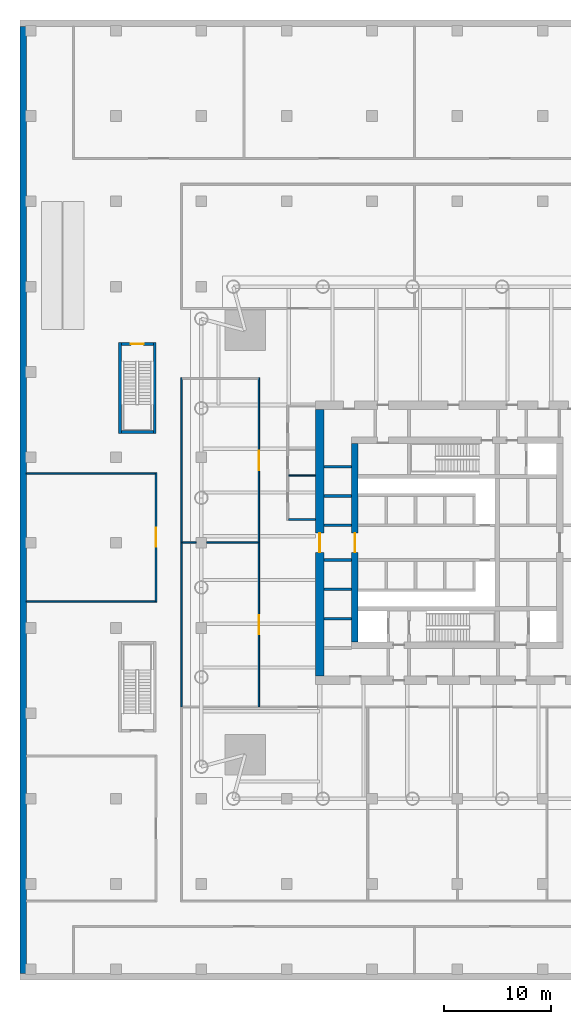
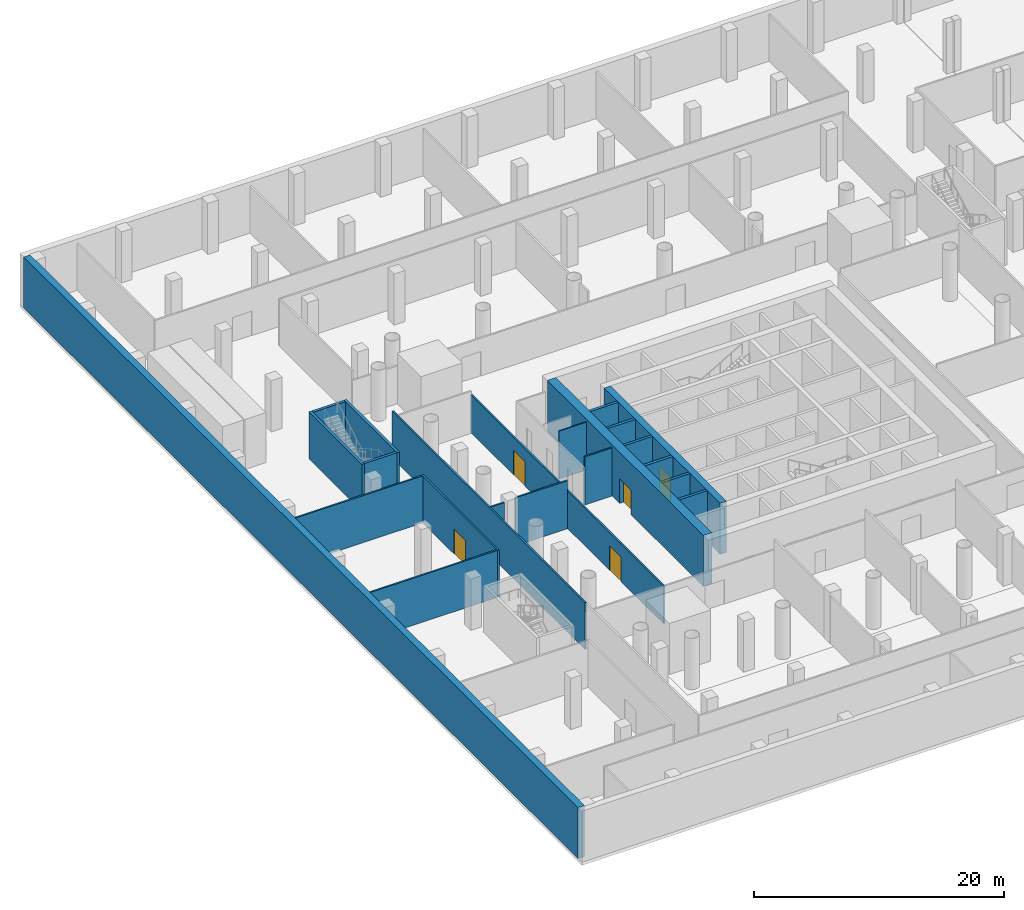
# One storey, part 8 of 22: 22 walls, 6 doors, 6 openings.
"""IFC4 building model written with IfcOpenShell, lengths in metres."""

from ifc_helpers import new_model, si_unit, direction, frame, frame_2d, origin, place, context, subcontext, project, spatial, rectangle, extrude, material, layer, layer_set, type_object, element, fill, save


model = new_model("IFC4")

# Units and contexts
model_context = context("Model", 3, precision=1e-05, world=origin(), true_north=direction((0.0, 1.0)))
body_context = subcontext(model_context, "Body", "Model", "MODEL_VIEW")
ifc_project = project(units=[si_unit("LENGTHUNIT", "METRE"), si_unit("AREAUNIT", "SQUARE_METRE"), si_unit("VOLUMEUNIT", "CUBIC_METRE"), si_unit("PLANEANGLEUNIT", "RADIAN"), si_unit("MASSUNIT", "GRAM", prefix="KILO")], contexts=[model_context])

# Site, building, storey
site_placement = place(None, origin())
site = spatial("IfcSite", under=ifc_project, at=site_placement, CompositionType="ELEMENT")
building_placement = place(site_placement, origin())
building = spatial("IfcBuilding", under=site, at=building_placement, Name="Ostroluk Exchange", CompositionType="ELEMENT")
storey_placement = place(building_placement, frame((0.0, 0.0, -5.0)))
storey = spatial("IfcBuildingStorey", under=building, at=storey_placement, Name="B1", CompositionType="ELEMENT", Elevation=-5.0)

# Walls
ifc_material_1 = material(Name="Concrete C35/45", Category="concrete")
ifc_layer_1 = layer(ifc_material_1, 0.60009765625)
ifc_layer_set_1 = layer_set([ifc_layer_1], Name="Basement retaining wall 600")
wall_type_1 = type_object("IfcWallType", Name="Basement retaining wall 600", PredefinedType="USERDEFINED", material=ifc_layer_set_1)
wall_1_placement = place(storey_placement, frame((4.300048828125, 5.60009765625, 0.0), z_axis=(0.0, 0.0, 1.0), x_axis=(0.0, 1.0, 0.0)))
element("IfcWall", 1, at=wall_1_placement, inside=storey, type_object=wall_type_1, Name="Retaining wall B1 W", ObjectType="RETAINING WALL", PredefinedType="USERDEFINED", context=body_context, shape_type="SweptSolid", body=[
    extrude(rectangle(XDim=88.7998046875, YDim=0.60009765625, at=frame_2d((44.39990234375, 0.0))), origin(), (0.0, 0.0, 1.0), 5.0),
])
ifc_material_2 = material(Name="Concrete blockwork", Category="masonry")
ifc_layer_2 = layer(ifc_material_2, 0.10009765625)
ifc_layer_set_2 = layer_set([ifc_layer_2], Name="Blockwork WC wall 100")
wall_type_2 = type_object("IfcWallType", Name="Blockwork WC wall 100", PredefinedType="SOLIDWALL", material=ifc_layer_set_2)
wall_2_placement = place(storey_placement, frame((29.175048828125, 52.300048828125, 0.0), z_axis=(0.0, 0.0, 1.0), x_axis=(1.0, 0.0, 0.0)))
element("IfcWall", 2, at=wall_2_placement, inside=storey, type_object=wall_type_2, Name="Blockwork WC wall", PredefinedType="SOLIDWALL", context=body_context, shape_type="SweptSolid", body=[
    extrude(rectangle(XDim=2.52490234375, YDim=0.10009765625, at=frame_2d((1.262451171875, 0.0))), origin(), (0.0, 0.0, 1.0), 4.699951171875),
])
ifc_material_3 = material(Name="Concrete blockwork", Category="masonry")
ifc_layer_3 = layer(ifc_material_3, 0.25)
ifc_layer_set_3 = layer_set([ifc_layer_3], Name="Blockwork stair enclosure wall 250")
wall_type_3 = type_object("IfcWallType", Name="Blockwork stair enclosure wall 250", PredefinedType="SOLIDWALL", material=ifc_layer_set_3)
for number, where, z_axis, x_axis, name in (
    (3, (13.375, 56.25, 0.0), (0.0, 0.0, 1.0), (0.0, 1.0, 0.0), "Stair PS2 enclosure wall"),
    (4, (16.625, 56.25, 0.0), (0.0, 0.0, 1.0), (0.0, 1.0, 0.0), "Stair PS2 enclosure wall"),
):
    element("IfcWall", number, at=place(storey_placement, frame(where, z_axis=z_axis, x_axis=x_axis)), inside=storey, type_object=wall_type_3, Name=name, PredefinedType="SOLIDWALL", context=body_context, shape_type="SweptSolid", body=[
        extrude(rectangle(XDim=8.5, YDim=0.25, at=frame_2d((4.25, 0.0))), origin(), (0.0, 0.0, 1.0), 4.60009765625),
    ])
wall_3_placement = place(storey_placement, frame((13.5, 56.375, 0.0), z_axis=(0.0, 0.0, 1.0), x_axis=(1.0, 0.0, 0.0)))
element("IfcWall", 5, at=wall_3_placement, inside=storey, type_object=wall_type_3, Name="Stair PS2 enclosure wall", PredefinedType="SOLIDWALL", context=body_context, shape_type="SweptSolid", body=[
    extrude(rectangle(XDim=3.0, YDim=0.25, at=frame_2d((1.5, 0.0))), origin(), (0.0, 0.0, 1.0), 4.60009765625),
])

# Wall, opening, door
wall_4_placement = place(storey_placement, frame((13.5, 64.625, 0.0), z_axis=(0.0, 0.0, 1.0), x_axis=(1.0, 0.0, 0.0)))
wall_4 = element("IfcWall", 6, at=wall_4_placement, inside=storey, type_object=wall_type_3, Name="Stair PS2 enclosure wall", PredefinedType="SOLIDWALL", context=body_context, shape_type="SweptSolid", body=[
    extrude(rectangle(XDim=3.0, YDim=0.25, at=frame_2d((1.5, 0.0))), origin(), (0.0, 0.0, 1.0), 4.60009765625),
])
opening_1_placement = place(wall_4_placement, frame((0.89990234375, 0.0, 0.0)))
opening_1 = element("IfcOpeningElement", 7, at=opening_1_placement, cuts=wall_4, Name="Opening FD60S", PredefinedType="OPENING", context=body_context, shape_type="SweptSolid", body=[
    extrude(rectangle(XDim=1.199951171875, YDim=2.10009765625, at=frame_2d((0.60009765625, 1.050048828125))), frame((0.0, 0.135009765625, 0.0), z_axis=(0.0, -1.0, 0.0), x_axis=(1.0, 0.0, 0.0)), (0.0, 0.0, 1.0), 0.27001953125),
])
ifc_material_4 = material(Name="Steel", Category="steel")
door_type_1 = type_object("IfcDoorType", Name="Stair door EI 60 1200 x 2100", OperationType="SINGLE_SWING_LEFT", PredefinedType="DOOR", material=ifc_material_4)
door_1_placement = place(opening_1_placement, origin())
door_1 = element("IfcDoor", 8, at=door_1_placement, inside=storey, type_object=door_type_1, Name="Stair PS2 door", OperationType="SINGLE_SWING_LEFT", OverallHeight=2.10009765625, OverallWidth=1.199951171875, PredefinedType="DOOR", context=body_context, shape_type="SweptSolid", body=[
    extrude(rectangle(XDim=1.199951171875, YDim=2.10009765625, at=frame_2d((0.60009765625, 1.050048828125))), frame((0.0, 0.02490234375, 0.0), z_axis=(0.0, -1.0, 0.0), x_axis=(1.0, 0.0, 0.0)), (0.0, 0.0, 1.0), 0.050048828125),
])
fill(opening_1, door_1)

# Walls
ifc_material_5 = material(Name="Concrete C40/50", Category="concrete")
ifc_layer_4 = layer(ifc_material_5, 0.25)
ifc_layer_set_4 = layer_set([ifc_layer_4], Name="Core shaft wall 250")
wall_type_4 = type_object("IfcWallType", Name="Core shaft wall 250", PredefinedType="SHEAR", material=ifc_layer_set_4)
for number, where, z_axis, x_axis, name in (
    (9, (32.5, 38.875, 0.0), (0.0, 0.0, 1.0), (1.0, 0.0, 0.0), "Lift shaft wall"),
    (10, (32.5, 41.625, 0.0), (0.0, 0.0, 1.0), (1.0, 0.0, 0.0), "Lift shaft wall"),
    (11, (32.5, 44.375, 0.0), (0.0, 0.0, 1.0), (1.0, 0.0, 0.0), "Lift shaft wall"),
    (12, (32.5, 47.625, 0.0), (0.0, 0.0, 1.0), (1.0, 0.0, 0.0), "Lift shaft wall"),
    (13, (32.5, 50.375, 0.0), (0.0, 0.0, 1.0), (1.0, 0.0, 0.0), "Lift shaft wall"),
    (14, (32.5, 53.125, 0.0), (0.0, 0.0, 1.0), (1.0, 0.0, 0.0), "Lift shaft wall"),
):
    element("IfcWall", number, at=place(storey_placement, frame(where, z_axis=z_axis, x_axis=x_axis)), inside=storey, type_object=wall_type_4, Name=name, PredefinedType="SHEAR", context=body_context, shape_type="SweptSolid", body=[
        extrude(rectangle(XDim=2.60009765625, YDim=0.25, at=frame_2d((1.300048828125, 0.0))), origin(), (0.0, 0.0, 1.0), 5.0),
    ])

# Wall, opening, door
ifc_material_6 = material(Name="Concrete C50/60", Category="concrete")
ifc_layer_5 = layer(ifc_material_6, 0.60009765625)
ifc_layer_set_5 = layer_set([ifc_layer_5], Name="Core wall 600 C50/60")
wall_type_5 = type_object("IfcWallType", Name="Core wall 600 C50/60", PredefinedType="SHEAR", material=ifc_layer_set_5)
wall_5_placement = place(storey_placement, frame((35.39990234375, 36.699951171875, 0.0), z_axis=(0.0, 0.0, 1.0), x_axis=(0.0, 1.0, 0.0)))
wall_5 = element("IfcWall", 15, at=wall_5_placement, inside=storey, type_object=wall_type_5, Name="T1 core wall W", PredefinedType="SHEAR", context=body_context, shape_type="SweptSolid", body=[
    extrude(rectangle(XDim=18.60009765625, YDim=0.60009765625, at=frame_2d((9.300048828125, 0.0))), origin(), (0.0, 0.0, 1.0), 5.0),
])
opening_2_placement = place(wall_5_placement, frame((8.39990234375, 0.0, 0.0)))
opening_2 = element("IfcOpeningElement", 16, at=opening_2_placement, cuts=wall_5, Name="Opening FD30D", PredefinedType="OPENING", context=body_context, shape_type="SweptSolid", body=[
    extrude(rectangle(XDim=1.800048828125, YDim=2.39990234375, at=frame_2d((0.89990234375, 1.199951171875))), frame((0.0, 0.31005859375, 0.0), z_axis=(0.0, -1.0, 0.0), x_axis=(1.0, 0.0, 0.0)), (0.0, 0.0, 1.0), 0.6201171875),
])
ifc_material_7 = material(Name="Timber", Category="wood")
door_type_2 = type_object("IfcDoorType", Name="Lobby double door EI 30 1800 x 2400", OperationType="DOUBLE_DOOR_SINGLE_SWING", PredefinedType="DOOR", material=ifc_material_7)
door_2_placement = place(opening_2_placement, origin())
door_2 = element("IfcDoor", 17, at=door_2_placement, inside=storey, type_object=door_type_2, Name="Lift lobby doors", OperationType="DOUBLE_DOOR_SINGLE_SWING", OverallHeight=2.39990234375, OverallWidth=1.800048828125, PredefinedType="DOOR", context=body_context, shape_type="SweptSolid", body=[
    extrude(rectangle(XDim=1.800048828125, YDim=2.39990234375, at=frame_2d((0.89990234375, 1.199951171875))), frame((0.0, 0.02490234375, 0.0), z_axis=(0.0, -1.0, 0.0), x_axis=(1.0, 0.0, 0.0)), (0.0, 0.0, 1.0), 0.050048828125),
])
fill(opening_2, door_2)

ifc_material_8 = material(Name="Concrete C50/60", Category="concrete")
ifc_layer_6 = layer(ifc_material_8, 0.800048828125)
ifc_layer_set_6 = layer_set([ifc_layer_6], Name="Core wall 800 C50/60")
wall_type_6 = type_object("IfcWallType", Name="Core wall 800 C50/60", PredefinedType="SHEAR", material=ifc_layer_set_6)
wall_6_placement = place(storey_placement, frame((32.10009765625, 33.5, 0.0), z_axis=(0.0, 0.0, 1.0), x_axis=(0.0, 1.0, 0.0)))
wall_6 = element("IfcWall", 18, at=wall_6_placement, inside=storey, type_object=wall_type_6, Name="T1 core wall RW", PredefinedType="SHEAR", context=body_context, shape_type="SweptSolid", body=[
    extrude(rectangle(XDim=25.0, YDim=0.800048828125, at=frame_2d((12.5, 0.0))), origin(), (0.0, 0.0, 1.0), 5.0),
])
opening_3_placement = place(wall_6_placement, frame((11.60009765625, 0.0, 0.0)))
opening_3 = element("IfcOpeningElement", 19, at=opening_3_placement, cuts=wall_6, Name="Opening FD30D", PredefinedType="OPENING", context=body_context, shape_type="SweptSolid", body=[
    extrude(rectangle(XDim=1.800048828125, YDim=2.39990234375, at=frame_2d((0.89990234375, 1.199951171875))), frame((0.0, 0.409912109375, 0.0), z_axis=(0.0, -1.0, 0.0), x_axis=(1.0, 0.0, 0.0)), (0.0, 0.0, 1.0), 0.820068359375),
])
door_3_placement = place(opening_3_placement, origin())
door_3 = element("IfcDoor", 20, at=door_3_placement, inside=storey, type_object=door_type_2, Name="Lift lobby doors", OperationType="DOUBLE_DOOR_SINGLE_SWING", OverallHeight=2.39990234375, OverallWidth=1.800048828125, PredefinedType="DOOR", context=body_context, shape_type="SweptSolid", body=[
    extrude(rectangle(XDim=1.800048828125, YDim=2.39990234375, at=frame_2d((0.89990234375, 1.199951171875))), frame((0.0, 0.02490234375, 0.0), z_axis=(0.0, -1.0, 0.0), x_axis=(1.0, 0.0, 0.0)), (0.0, 0.0, 1.0), 0.050048828125),
])
fill(opening_3, door_3)

ifc_material_9 = material(Name="Gypsum plasterboard partition", Category="gypsum")
ifc_layer_7 = layer(ifc_material_9, 0.14990234375)
ifc_layer_set_7 = layer_set([ifc_layer_7], Name="Plasterboard partition 150")
wall_type_7 = type_object("IfcWallType", Name="Plasterboard partition 150", PredefinedType="PARTITIONING", material=ifc_layer_set_7)
wall_7_placement = place(storey_placement, frame((16.75, 40.425048828125, 0.0), z_axis=(0.0, 0.0, 1.0), x_axis=(0.0, 1.0, 0.0)))
wall_7 = element("IfcWall", 21, at=wall_7_placement, inside=storey, type_object=wall_type_7, Name="Partition", PredefinedType="PARTITIONING", context=body_context, shape_type="SweptSolid", body=[
    extrude(rectangle(XDim=12.14990234375, YDim=0.14990234375, at=frame_2d((6.074951171875, 0.0))), origin(), (0.0, 0.0, 1.0), 4.60009765625),
])
opening_4_placement = place(wall_7_placement, frame((5.175048828125, 0.0, 0.0)))
opening_4 = element("IfcOpeningElement", 22, at=opening_4_placement, cuts=wall_7, Name="Opening D-04", PredefinedType="OPENING", context=body_context, shape_type="SweptSolid", body=[
    extrude(rectangle(XDim=1.800048828125, YDim=2.39990234375, at=frame_2d((0.89990234375, 1.199951171875))), frame((0.0, 0.0849609375, 0.0), z_axis=(0.0, -1.0, 0.0), x_axis=(1.0, 0.0, 0.0)), (0.0, 0.0, 1.0), 0.169921875),
])
ifc_material_10 = material(Name="Timber", Category="wood")
door_type_3 = type_object("IfcDoorType", Name="Double door 1800 x 2400", OperationType="DOUBLE_DOOR_SINGLE_SWING", PredefinedType="DOOR", material=ifc_material_10)
door_4_placement = place(opening_4_placement, origin())
door_4 = element("IfcDoor", 23, at=door_4_placement, inside=storey, type_object=door_type_3, Name="Cycle hub changing room door", OperationType="DOUBLE_DOOR_SINGLE_SWING", OverallHeight=2.39990234375, OverallWidth=1.800048828125, PredefinedType="DOOR", context=body_context, shape_type="SweptSolid", body=[
    extrude(rectangle(XDim=1.800048828125, YDim=2.39990234375, at=frame_2d((0.89990234375, 1.199951171875))), frame((0.0, 0.02490234375, 0.0), z_axis=(0.0, -1.0, 0.0), x_axis=(1.0, 0.0, 0.0)), (0.0, 0.0, 1.0), 0.050048828125),
])
fill(opening_4, door_4)

# Walls
for number, where, z_axis, x_axis, name in (
    (24, (4.60009765625, 40.5, 0.0), (0.0, 0.0, 1.0), (1.0, 0.0, 0.0), "Partition"),
    (25, (4.60009765625, 52.5, 0.0), (0.0, 0.0, 1.0), (1.0, 0.0, 0.0), "Partition"),
):
    element("IfcWall", number, at=place(storey_placement, frame(where, z_axis=z_axis, x_axis=x_axis)), inside=storey, type_object=wall_type_7, Name=name, PredefinedType="PARTITIONING", context=body_context, shape_type="SweptSolid", body=[
        extrude(rectangle(XDim=12.074951171875, YDim=0.14990234375, at=frame_2d((6.03759765625, 0.0))), origin(), (0.0, 0.0, 1.0), 4.60009765625),
    ])
wall_8_placement = place(storey_placement, frame((19.14990234375, 30.60009765625, 0.0), z_axis=(0.0, 0.0, 1.0), x_axis=(0.0, 1.0, 0.0)))
element("IfcWall", 26, at=wall_8_placement, inside=storey, type_object=wall_type_7, Name="Partition", PredefinedType="PARTITIONING", context=body_context, shape_type="SweptSolid", body=[
    extrude(rectangle(XDim=30.875, YDim=0.14990234375, at=frame_2d((15.4375, 0.0))), origin(), (0.0, 0.0, 1.0), 4.60009765625),
])

# Wall, openings, doors
wall_9_placement = place(storey_placement, frame((26.39990234375, 30.60009765625, 0.0), z_axis=(0.0, 0.0, 1.0), x_axis=(0.0, 1.0, 0.0)))
wall_9 = element("IfcWall", 27, at=wall_9_placement, inside=storey, type_object=wall_type_7, Name="Partition", PredefinedType="PARTITIONING", context=body_context, shape_type="SweptSolid", body=[
    extrude(rectangle(XDim=30.875, YDim=0.14990234375, at=frame_2d((15.4375, 0.0))), origin(), (0.0, 0.0, 1.0), 3.68798828125),
])
opening_5_placement = place(wall_9_placement, frame((6.800048828125, 0.0, 0.0)))
opening_5 = element("IfcOpeningElement", 28, at=opening_5_placement, cuts=wall_9, Name="Opening D-04", PredefinedType="OPENING", context=body_context, shape_type="SweptSolid", body=[
    extrude(rectangle(XDim=1.800048828125, YDim=2.39990234375, at=frame_2d((0.89990234375, 1.199951171875))), frame((0.0, 0.0849609375, 0.0), z_axis=(0.0, -1.0, 0.0), x_axis=(1.0, 0.0, 0.0)), (0.0, 0.0, 1.0), 0.169921875),
])
opening_6_placement = place(wall_9_placement, frame((22.199951171875, 0.0, 0.0)))
opening_6 = element("IfcOpeningElement", 29, at=opening_6_placement, cuts=wall_9, Name="Opening D-04", PredefinedType="OPENING", context=body_context, shape_type="SweptSolid", body=[
    extrude(rectangle(XDim=1.800048828125, YDim=2.39990234375, at=frame_2d((0.89990234375, 1.199951171875))), frame((0.0, 0.0849609375, 0.0), z_axis=(0.0, -1.0, 0.0), x_axis=(1.0, 0.0, 0.0)), (0.0, 0.0, 1.0), 0.169921875),
])
door_5_placement = place(opening_5_placement, origin())
door_5 = element("IfcDoor", 30, at=door_5_placement, inside=storey, type_object=door_type_3, Name="Lost property office door", OperationType="DOUBLE_DOOR_SINGLE_SWING", OverallHeight=2.39990234375, OverallWidth=1.800048828125, PredefinedType="DOOR", context=body_context, shape_type="SweptSolid", body=[
    extrude(rectangle(XDim=1.800048828125, YDim=2.39990234375, at=frame_2d((0.89990234375, 1.199951171875))), frame((0.0, 0.02490234375, 0.0), z_axis=(0.0, -1.0, 0.0), x_axis=(1.0, 0.0, 0.0)), (0.0, 0.0, 1.0), 0.050048828125),
])
fill(opening_5, door_5)
door_6_placement = place(opening_6_placement, origin())
door_6 = element("IfcDoor", 31, at=door_6_placement, inside=storey, type_object=door_type_3, Name="Staff locker room door", OperationType="DOUBLE_DOOR_SINGLE_SWING", OverallHeight=2.39990234375, OverallWidth=1.800048828125, PredefinedType="DOOR", context=body_context, shape_type="SweptSolid", body=[
    extrude(rectangle(XDim=1.800048828125, YDim=2.39990234375, at=frame_2d((0.89990234375, 1.199951171875))), frame((0.0, 0.02490234375, 0.0), z_axis=(0.0, -1.0, 0.0), x_axis=(1.0, 0.0, 0.0)), (0.0, 0.0, 1.0), 0.050048828125),
])
fill(opening_6, door_6)

# Walls
wall_10_placement = place(storey_placement, frame((19.22509765625, 46.0, 0.0), z_axis=(0.0, 0.0, 1.0), x_axis=(1.0, 0.0, 0.0)))
element("IfcWall", 32, at=wall_10_placement, inside=storey, type_object=wall_type_7, Name="Partition", PredefinedType="PARTITIONING", context=body_context, shape_type="SweptSolid", body=[
    extrude(rectangle(XDim=1.27490234375, YDim=0.14990234375, at=frame_2d((0.637451171875, 0.0))), origin(), (0.0, 0.0, 1.0), 4.60009765625),
])
wall_11_placement = place(storey_placement, frame((21.5, 46.0, 0.0), z_axis=(0.0, 0.0, 1.0), x_axis=(1.0, 0.0, 0.0)))
element("IfcWall", 33, at=wall_11_placement, inside=storey, type_object=wall_type_7, Name="Partition", PredefinedType="PARTITIONING", context=body_context, shape_type="SweptSolid", body=[
    extrude(rectangle(XDim=4.824951171875, YDim=0.14990234375, at=frame_2d((2.41259765625, 0.0))), origin(), (0.0, 0.0, 1.0), 4.699951171875),
])
ifc_material_11 = material(Name="Gypsum plasterboard partition, moisture resistant", Category="gypsum")
ifc_layer_8 = layer(ifc_material_11, 0.14990234375)
ifc_layer_set_8 = layer_set([ifc_layer_8], Name="Plasterboard toilet partition 150")
wall_type_8 = type_object("IfcWallType", Name="Plasterboard toilet partition 150", PredefinedType="PARTITIONING", material=ifc_layer_set_8)
wall_12_placement = place(storey_placement, frame((29.175048828125, 48.175048828125, 0.0), z_axis=(0.0, 0.0, 1.0), x_axis=(1.0, 0.0, 0.0)))
element("IfcWall", 34, at=wall_12_placement, inside=storey, type_object=wall_type_8, Name="Toilet partition", PredefinedType="PARTITIONING", context=body_context, shape_type="SweptSolid", body=[
    extrude(rectangle(XDim=2.52490234375, YDim=0.14990234375, at=frame_2d((1.262451171875, 0.0))), origin(), (0.0, 0.0, 1.0), 4.699951171875),
])

save(model, "model.ifc")
